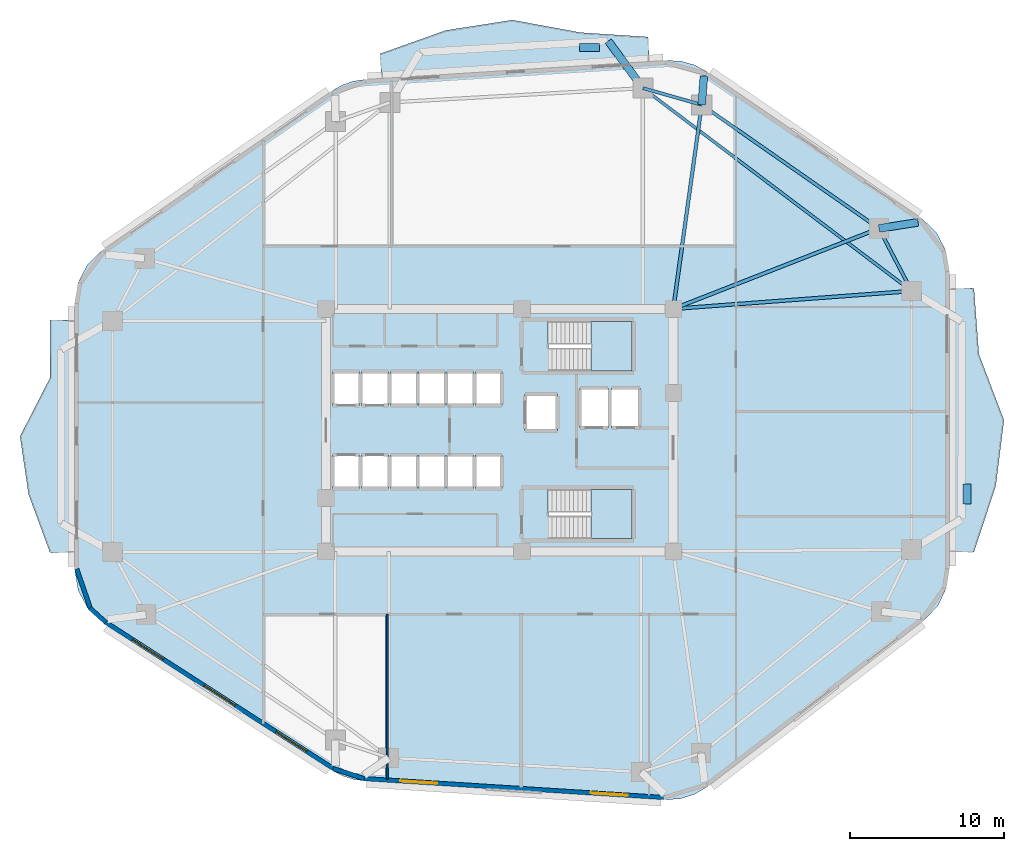
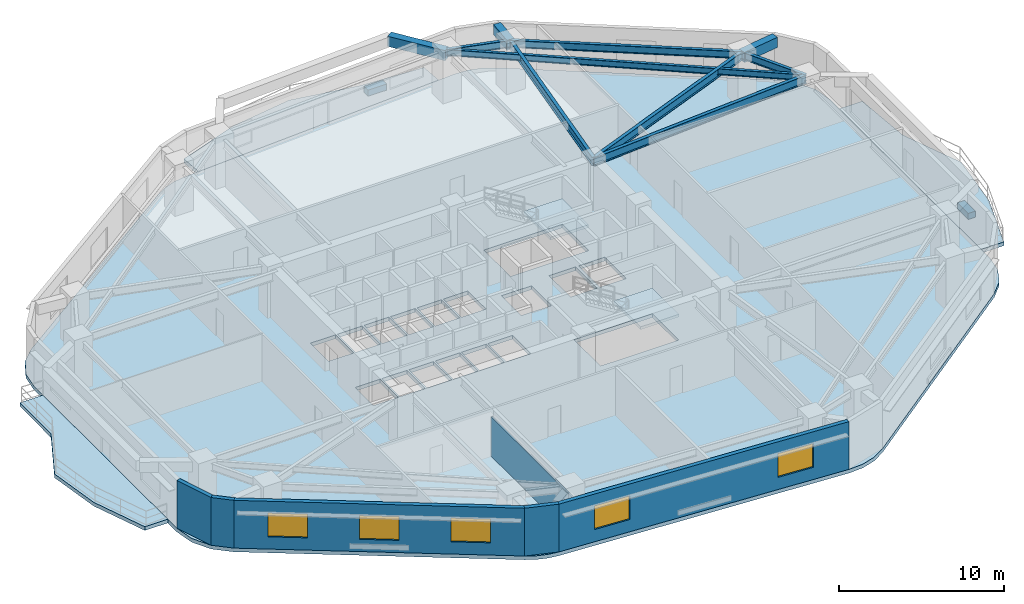
# One storey, part 2 of 9: 10 beams, 6 slabs, 6 walls, 5 windows, 2 plates, 5 openings, 2 elements without a shape of their own.
"""IFC4 building model written with IfcOpenShell, lengths in metres."""

from ifc_helpers import new_model, si_unit, direction, frame, frame_2d, origin, origin_2d, place, context, subcontext, project, spatial, polyline, rectangle, i_section, outline, extrude, material, layer, layer_set, material_profile, profile_set, type_object, element, fill, aggregate, save


model = new_model("IFC4")

# Units and contexts
model_context = context("Model", 3, precision=1e-05, world=origin(), true_north=direction((0.0, 1.0)))
body_context = subcontext(model_context, "Body", "Model", "MODEL_VIEW")
ifc_project = project(units=[si_unit("LENGTHUNIT", "METRE"), si_unit("AREAUNIT", "SQUARE_METRE"), si_unit("VOLUMEUNIT", "CUBIC_METRE"), si_unit("PLANEANGLEUNIT", "RADIAN"), si_unit("MASSUNIT", "GRAM", prefix="KILO")], contexts=[model_context])

# Site, building, storey
site_placement = place(None, origin())
site = spatial("IfcSite", under=ifc_project, at=site_placement, CompositionType="ELEMENT")
building_placement = place(site_placement, origin())
building = spatial("IfcBuilding", under=site, at=building_placement, Name="Zulverin Broadcast Headquarters", CompositionType="ELEMENT")
storey_placement = place(building_placement, frame((0.0, 0.0, 59.199951171875)))
storey = spatial("IfcBuildingStorey", under=building, at=storey_placement, Name="L14", CompositionType="ELEMENT", Elevation=59.199951171875)

# Beams
ifc_material_1 = material(Name="Concrete C40/50", Category="concrete")
ifc_material_profile_1 = material_profile(ifc_material_1, rectangle(XDim=0.5, YDim=0.75, at=origin_2d()), Name="Concrete C40/50", Category="concrete")
ifc_profile_set_1 = profile_set([ifc_material_profile_1], Name="Concrete C40/50")
beam_type_1 = type_object("IfcBeamType", Name="BM-RC-500x750", PredefinedType="BEAM", material=ifc_profile_set_1)
beam_1_placement = place(storey_placement, frame((61.630126953125, 38.298583984375, 3.150146484375), z_axis=(0.988133444256, 0.153597839639, 0.0), x_axis=(-0.153597839639, 0.988133444256, 0.0)))
element("IfcBeam", 1, at=beam_1_placement, inside=storey, type_object=beam_type_1, Name="L15 Plate Overhang Back-Spanned Beam OVR-07", PredefinedType="BEAM", context=body_context, shape_type="SweptSolid", body=[
    extrude(rectangle(XDim=0.5, YDim=0.75, at=origin_2d()), origin(), (0.0, 0.0, 1.0), 2.57177734375),
])
beam_2_placement = place(storey_placement, frame((50.121826171875, 46.325927734375, 3.150146484375), z_axis=(0.073023006252, 0.997330256514, 0.0), x_axis=(-0.997330256514, 0.073023006252, 0.0)))
element("IfcBeam", 2, at=beam_2_placement, inside=storey, type_object=beam_type_1, Name="L15 Plate Overhang Back-Spanned Beam OVR-08", PredefinedType="BEAM", context=body_context, shape_type="SweptSolid", body=[
    extrude(rectangle(XDim=0.5, YDim=0.75, at=origin_2d()), origin(), (0.0, 0.0, 1.0), 1.875732421875),
])
beam_3_placement = place(storey_placement, frame((46.30224609375, 47.4091796875, 3.150146484375), z_axis=(-0.592925064887, 0.805257640404, 0.0), x_axis=(-0.805257640404, -0.592925064887, 0.0)))
element("IfcBeam", 3, at=beam_3_placement, inside=storey, type_object=beam_type_1, Name="L15 Balcony Column-Framed Cantilever BAL_N-1", PredefinedType="BEAM", context=body_context, shape_type="SweptSolid", body=[
    extrude(rectangle(XDim=0.5, YDim=0.75, at=origin_2d()), origin(), (0.0, 0.0, 1.0), 3.800048828125),
])
ifc_material_2 = material(Name="Structural steel S355JR", Category="steel")
ifc_material_profile_2 = material_profile(ifc_material_2, i_section(OverallWidth=0.19287109375, OverallDepth=0.46728515625, WebThickness=0.011474609375, FlangeThickness=0.01953125, at=origin_2d()), Name="Structural steel S355JR", Category="steel")
ifc_profile_set_2 = profile_set([ifc_material_profile_2], Name="Structural steel S355JR")
beam_type_2 = type_object("IfcBeamType", Name="BM-UB-457", PredefinedType="JOIST", material=ifc_profile_set_2)
beam_4_placement = place(storey_placement, frame((63.75, 34.235107421875, 3.29150390625), z_axis=(-0.798058136838, 0.602580459546, 0.0), x_axis=(-0.602580459546, -0.798058136838, 0.0)))
element("IfcBeam", 4, at=beam_4_placement, inside=storey, type_object=beam_type_2, Name="L14 Chordal Floor Joist J-02", PredefinedType="JOIST", context=body_context, shape_type="SweptSolid", body=[
    extrude(i_section(OverallWidth=0.19287109375, OverallDepth=0.46728515625, WebThickness=0.011474609375, FlangeThickness=0.01953125, at=origin_2d()), origin(), (0.0, 0.0, 1.0), 21.86279296875),
])
ifc_material_profile_3 = material_profile(ifc_material_2, i_section(OverallWidth=0.2119140625, OverallDepth=0.54443359375, WebThickness=0.0126953125, FlangeThickness=0.021240234375, at=origin_2d()), Name="Structural steel S355JR", Category="steel")
ifc_profile_set_3 = profile_set([ifc_material_profile_3], Name="Structural steel S355JR")
beam_type_3 = type_object("IfcBeamType", Name="BM-UB-533", PredefinedType="SPANDREL", material=ifc_profile_set_3)
beam_5_placement = place(storey_placement, frame((63.75, 34.235107421875, 3.2529296875), z_axis=(-0.462531417359, 0.886602891917, 0.0), x_axis=(-0.886602891917, -0.462531417359, 0.0)))
element("IfcBeam", 5, at=beam_5_placement, inside=storey, type_object=beam_type_3, Name="L14 Perimeter Spandrel Beam SP-06", PredefinedType="SPANDREL", context=body_context, shape_type="SweptSolid", body=[
    extrude(i_section(OverallWidth=0.2119140625, OverallDepth=0.54443359375, WebThickness=0.0126953125, FlangeThickness=0.021240234375, at=origin_2d()), origin(), (0.0, 0.0, 1.0), 4.583251953125),
])
beam_6_placement = place(storey_placement, frame((61.630126953125, 38.298583984375, 3.2529296875), z_axis=(-0.820183915206, 0.5720999434, 0.0), x_axis=(-0.5720999434, -0.820183915206, 0.0)))
element("IfcBeam", 6, at=beam_6_placement, inside=storey, type_object=beam_type_3, Name="L14 Perimeter Spandrel Beam SP-07", PredefinedType="SPANDREL", context=body_context, shape_type="SweptSolid", body=[
    extrude(i_section(OverallWidth=0.2119140625, OverallDepth=0.54443359375, WebThickness=0.0126953125, FlangeThickness=0.021240234375, at=origin_2d()), origin(), (0.0, 0.0, 1.0), 14.03125),
])
beam_7_placement = place(storey_placement, frame((50.121826171875, 46.325927734375, 3.2529296875), z_axis=(-0.962058150721, 0.272844487999, 0.0), x_axis=(-0.272844487999, -0.962058150721, 0.0)))
element("IfcBeam", 7, at=beam_7_placement, inside=storey, type_object=beam_type_3, Name="L14 Perimeter Spandrel Beam SP-08", PredefinedType="SPANDREL", context=body_context, shape_type="SweptSolid", body=[
    extrude(i_section(OverallWidth=0.2119140625, OverallDepth=0.54443359375, WebThickness=0.0126953125, FlangeThickness=0.021240234375, at=origin_2d()), origin(), (0.0, 0.0, 1.0), 3.97021484375),
])
ifc_material_profile_4 = material_profile(ifc_material_2, i_section(OverallWidth=0.230224609375, OverallDepth=0.6171875, WebThickness=0.01318359375, FlangeThickness=0.022216796875, at=origin_2d()), Name="Structural steel S355JR", Category="steel")
ifc_profile_set_4 = profile_set([ifc_material_profile_4], Name="Structural steel S355JR")
beam_type_4 = type_object("IfcBeamType", Name="BM-UB-610", PredefinedType="BEAM", material=ifc_profile_set_4)
beam_8_placement = place(storey_placement, frame((48.27490234375, 33.074951171875, 3.216552734375), z_axis=(0.997201597387, 0.074759442003, 0.0), x_axis=(-0.074759442003, 0.997201597387, 0.0)))
element("IfcBeam", 8, at=beam_8_placement, inside=storey, type_object=beam_type_4, Name="L14 Radial Primary Floor Beam RB-06", PredefinedType="BEAM", context=body_context, shape_type="SweptSolid", body=[
    extrude(i_section(OverallWidth=0.230224609375, OverallDepth=0.6171875, WebThickness=0.01318359375, FlangeThickness=0.022216796875, at=origin_2d()), origin(), (0.0, 0.0, 1.0), 15.5185546875),
])
beam_9_placement = place(storey_placement, frame((48.27490234375, 33.074951171875, 3.216552734375), z_axis=(0.931297778153, 0.364258765723, 0.0), x_axis=(-0.364258765723, 0.931297778153, 0.0)))
element("IfcBeam", 9, at=beam_9_placement, inside=storey, type_object=beam_type_4, Name="L14 Radial Primary Floor Beam RB-07", PredefinedType="BEAM", context=body_context, shape_type="SweptSolid", body=[
    extrude(i_section(OverallWidth=0.230224609375, OverallDepth=0.6171875, WebThickness=0.01318359375, FlangeThickness=0.022216796875, at=origin_2d()), origin(), (0.0, 0.0, 1.0), 14.34033203125),
])
beam_10_placement = place(storey_placement, frame((48.27490234375, 33.074951171875, 3.216552734375), z_axis=(0.138045758193, 0.990425852169, 0.0), x_axis=(-0.990425852169, 0.138045758193, 0.0)))
element("IfcBeam", 10, at=beam_10_placement, inside=storey, type_object=beam_type_4, Name="L14 Radial Primary Floor Beam RB-08", PredefinedType="BEAM", context=body_context, shape_type="SweptSolid", body=[
    extrude(i_section(OverallWidth=0.230224609375, OverallDepth=0.6171875, WebThickness=0.01318359375, FlangeThickness=0.022216796875, at=origin_2d()), origin(), (0.0, 0.0, 1.0), 13.379150390625),
])

# Plates
ifc_material_3 = material(Name="Precast concrete C45/55", Category="concrete")
ifc_layer_1 = layer(ifc_material_3, 0.449951171875, Name="Precast concrete C45/55", Category="concrete")
ifc_layer_set_1 = layer_set([ifc_layer_1], Name="Precast concrete C45/55")
plate_type = type_object("IfcPlateType", Name="PT-01_PRECAST_GFRC_TREE_PLANTER", PredefinedType="USERDEFINED", material=ifc_layer_set_1)
for number, where, z_axis, x_axis, name in (
    (11, (67.35009765625, 21.05224609375, -0.0048828125), (0.0, 0.0, 1.0), (0.0, 1.0, 0.0), "L14 Precast GFRC Tree Planter BAL_E"),
    (12, (42.825927734375, 50.04638671875, -0.0048828125), (0.0, 0.0, 1.0), (1.0, 0.0, 0.0), "L14 Precast GFRC Tree Planter BAL_N"),
):
    element("IfcPlate", number, at=place(storey_placement, frame(where, z_axis=z_axis, x_axis=x_axis)), inside=storey, type_object=plate_type, Name=name, ObjectType="PLANTER", PredefinedType="USERDEFINED", context=body_context, shape_type="SweptSolid", body=[
        extrude(rectangle(XDim=1.300048828125, YDim=0.5, at=origin_2d()), origin(), (0.0, 0.0, 1.0), 0.449951171875),
    ])

# Slabs
ifc_layer_2 = layer(ifc_material_1, 0.27490234375, Name="Concrete C40/50", Category="concrete")
ifc_layer_set_2 = layer_set([ifc_layer_2], Name="Concrete C40/50")
slab_type_1 = type_object("IfcSlabType", Name="SLB-BAL-275", PredefinedType="FLOOR", material=ifc_layer_set_2)
slab_1_placement = place(storey_placement, frame((0.0, 0.0, -0.27490234375)))
element("IfcSlab", 13, at=slab_1_placement, inside=storey, type_object=slab_type_1, Name="L14 Cantilevered Planted Balcony Slab BAL_E", PredefinedType="FLOOR", context=body_context, shape_type="SweptSolid", body=[
    extrude(outline(polyline([(66.199951171875, 34.41455078125), (66.199951171875, 17.283447265625), (67.800048828125, 17.283447265625), (69.211181640625, 21.566162109375), (69.75, 25.848876953125), (68.121337890625, 30.131591796875), (67.800048828125, 34.41455078125), (66.199951171875, 34.41455078125)])), origin(), (0.0, 0.0, 1.0), 0.27490234375),
])
slab_2_placement = place(storey_placement, frame((0.0, 0.0, -0.27490234375)))
element("IfcSlab", 14, at=slab_2_placement, inside=storey, type_object=slab_type_1, Name="L14 Cantilevered Planted Balcony Slab BAL_N", PredefinedType="FLOOR", context=body_context, shape_type="SweptSolid", body=[
    extrude(outline(polyline([(29.330078125, 48.04296875), (46.72509765625, 49.139892578125), (46.62451171875, 50.73681640625), (42.240478515625, 51.0224609375), (37.8232421875, 51.8349609375), (33.49951171875, 51.160888671875), (29.2294921875, 49.639892578125), (29.330078125, 48.04296875)])), origin(), (0.0, 0.0, 1.0), 0.27490234375),
])
slab_3_placement = place(storey_placement, frame((0.0, 0.0, -0.27490234375)))
element("IfcSlab", 15, at=slab_3_placement, inside=storey, type_object=slab_type_1, Name="L14 Cantilevered Planted Balcony Slab BAL_W", PredefinedType="FLOOR", context=body_context, shape_type="SweptSolid", body=[
    extrude(outline(polyline([(9.39990234375, 17.24365234375), (9.39990234375, 32.344482421875), (7.800048828125, 32.344482421875), (7.78515625, 28.569091796875), (5.85009765625, 24.7939453125), (6.40869140625, 21.018798828125), (7.800048828125, 17.24365234375), (9.39990234375, 17.24365234375)])), origin(), (0.0, 0.0, 1.0), 0.27490234375),
])

# Stair, slab
stair_type = type_object("IfcStairType", Name="ST-CORE-1500", PredefinedType="HALF_TURN_STAIR", material=ifc_material_1)
stair_1_placement = place(storey_placement, origin())
stair_1 = element("IfcStair", 16, at=stair_1_placement, inside=storey, type_object=stair_type, Name="L14 Core Exit Stair ST-1", PredefinedType="HALF_TURN_STAIR")
ifc_layer_3 = layer(ifc_material_1, 0.199951171875, Name="Concrete C40/50", Category="concrete")
ifc_layer_set_3 = layer_set([ifc_layer_3], Name="Concrete C40/50")
slab_type_2 = type_object("IfcSlabType", Name="SLB-ST-LND200", PredefinedType="LANDING", material=ifc_layer_set_3)
slab_4_placement = place(storey_placement, frame((0.0, 0.0, 1.699951171875)))
slab_4 = element("IfcSlab", 17, at=slab_4_placement, type_object=slab_type_2, Name="ST-1 landing 1", PredefinedType="LANDING", context=body_context, shape_type="SweptSolid", body=[
    extrude(outline(polyline([(42.929931640625, 29.050048828125), (45.60009765625, 29.050048828125), (45.60009765625, 32.25), (42.929931640625, 32.25), (42.929931640625, 29.050048828125)])), origin(), (0.0, 0.0, 1.0), 0.2001953125),
])
aggregate(stair_1, [slab_4])

stair_2_placement = place(storey_placement, origin())
stair_2 = element("IfcStair", 18, at=stair_2_placement, inside=storey, type_object=stair_type, Name="L14 Core Exit Stair ST-2", PredefinedType="HALF_TURN_STAIR")
slab_5_placement = place(storey_placement, frame((0.0, 0.0, 1.699951171875)))
slab_5 = element("IfcSlab", 19, at=slab_5_placement, type_object=slab_type_2, Name="ST-2 landing 1", PredefinedType="LANDING", context=body_context, shape_type="SweptSolid", body=[
    extrude(outline(polyline([(42.929931640625, 18.14990234375), (45.60009765625, 18.14990234375), (45.60009765625, 21.35009765625), (42.929931640625, 21.35009765625), (42.929931640625, 18.14990234375)])), origin(), (0.0, 0.0, 1.0), 0.2001953125),
])
aggregate(stair_2, [slab_5])

# Slab
ifc_layer_4 = layer(ifc_material_1, 0.27490234375, Name="Concrete C40/50", Category="concrete")
ifc_layer_set_4 = layer_set([ifc_layer_4], Name="Concrete C40/50")
slab_type_3 = type_object("IfcSlabType", Name="SLB-TWR-275", PredefinedType="FLOOR", material=ifc_layer_set_4)
slab_6_placement = place(storey_placement, frame((0.0, 0.0, -0.27490234375)))
element("IfcSlab", 20, at=slab_6_placement, inside=storey, type_object=slab_type_3, Name="L14 Main Structural Floor Slab", PredefinedType="FLOOR", context=body_context, shape_type="SweptSolid", body=[
    extrude(outline(polyline([(26.146484375, 3.089599609375), (26.774658203125, 2.75732421875), (27.44970703125, 2.535888671875), (28.152587890625, 2.431396484375), (47.690673828125, 1.19921875), (48.69189453125, 1.256103515625), (49.6513671875, 1.548828125), (50.51416015625, 2.060546875), (64.55908203125, 12.85302734375), (65.44140625, 13.77587890625), (66.005859375, 14.92138671875), (66.199951171875, 16.183349609375), (66.199951171875, 35.514404296875), (65.981689453125, 36.85107421875), (65.349365234375, 38.048583984375), (64.368896484375, 38.982666015625), (50.456298828125, 48.485595703125), (49.639404296875, 48.920166015625), (48.747314453125, 49.165283203125), (47.822998046875, 49.208984375), (28.232421875, 47.9736328125), (27.481201171875, 47.857421875), (26.76318359375, 47.607666015625), (26.102294921875, 47.232666015625), (11.20556640625, 36.89501953125), (10.238037109375, 35.9619140625), (9.614990234375, 34.77099609375), (9.39990234375, 33.4443359375), (9.39990234375, 16.1435546875), (9.631103515625, 14.769775390625), (10.298583984375, 13.547119140625), (11.32958984375, 12.610107421875), (26.146484375, 3.089599609375)]), holes=[polyline([(40.155029296875, 30.75), (40.130126953125, 30.75), (40.130126953125, 32.25), (45.60009765625, 32.25), (45.60009765625, 29.050048828125), (40.155029296875, 29.050048828125), (40.155029296875, 30.75)]), polyline([(40.155029296875, 19.85009765625), (40.130126953125, 19.85009765625), (40.130126953125, 21.35009765625), (45.60009765625, 21.35009765625), (45.60009765625, 18.14990234375), (40.155029296875, 18.14990234375), (40.155029296875, 19.85009765625)]), polyline([(26.14990234375, 26.800048828125), (27.89990234375, 26.800048828125), (27.89990234375, 29.0), (26.14990234375, 29.0), (26.14990234375, 26.800048828125)]), polyline([(28.02001953125, 26.800048828125), (29.77001953125, 26.800048828125), (29.77001953125, 29.0), (28.02001953125, 29.0), (28.02001953125, 26.800048828125)]), polyline([(26.14990234375, 21.39990234375), (27.89990234375, 21.39990234375), (27.89990234375, 23.60009765625), (26.14990234375, 23.60009765625), (26.14990234375, 21.39990234375)]), polyline([(28.02001953125, 21.39990234375), (29.77001953125, 21.39990234375), (29.77001953125, 23.60009765625), (28.02001953125, 23.60009765625), (28.02001953125, 21.39990234375)]), polyline([(29.89990234375, 21.39990234375), (31.6201171875, 21.39990234375), (31.6201171875, 23.60009765625), (29.89990234375, 23.60009765625), (29.89990234375, 21.39990234375)]), polyline([(31.739990234375, 21.39990234375), (33.4599609375, 21.39990234375), (33.4599609375, 23.60009765625), (31.739990234375, 23.60009765625), (31.739990234375, 21.39990234375)]), polyline([(33.580078125, 21.39990234375), (35.300048828125, 21.39990234375), (35.300048828125, 23.60009765625), (33.580078125, 23.60009765625), (33.580078125, 21.39990234375)]), polyline([(35.419921875, 21.39990234375), (37.139892578125, 21.39990234375), (37.139892578125, 23.60009765625), (35.419921875, 23.60009765625), (35.419921875, 21.39990234375)]), polyline([(29.89990234375, 26.800048828125), (31.6201171875, 26.800048828125), (31.6201171875, 29.0), (29.89990234375, 29.0), (29.89990234375, 26.800048828125)]), polyline([(31.739990234375, 26.800048828125), (33.4599609375, 26.800048828125), (33.4599609375, 29.0), (31.739990234375, 29.0), (31.739990234375, 26.800048828125)]), polyline([(33.580078125, 26.800048828125), (35.300048828125, 26.800048828125), (35.300048828125, 29.0), (33.580078125, 29.0), (33.580078125, 26.800048828125)]), polyline([(35.419921875, 26.800048828125), (37.139892578125, 26.800048828125), (37.139892578125, 29.0), (35.419921875, 29.0), (35.419921875, 26.800048828125)]), polyline([(42.199951171875, 25.35009765625), (44.050048828125, 25.35009765625), (44.050048828125, 27.949951171875), (42.199951171875, 27.949951171875), (42.199951171875, 25.35009765625)]), polyline([(44.25, 25.35009765625), (46.10009765625, 25.35009765625), (46.10009765625, 27.949951171875), (44.25, 27.949951171875), (44.25, 25.35009765625)]), polyline([(38.64990234375, 25.14990234375), (40.75, 25.14990234375), (40.75, 27.550048828125), (38.64990234375, 27.550048828125), (38.64990234375, 25.14990234375)])]), origin(), (0.0, 0.0, 1.0), 0.27490234375),
])

# Wall, openings, windows
ifc_material_4 = material(Name="Insulated pale-metal clad concrete spandrel C40/50", Category="concrete")
ifc_layer_5 = layer(ifc_material_4, 0.280029296875, Name="Insulated pale-metal clad concrete spandrel C40/50", Category="concrete")
ifc_layer_set_5 = layer_set([ifc_layer_5], Name="Insulated pale-metal clad concrete spandrel C40/50")
wall_type_1 = type_object("IfcWallType", Name="WL-EXT-280", PredefinedType="STANDARD", material=ifc_layer_set_5)
wall_1_placement = place(storey_placement, frame((28.161376953125, 2.571044921875, 0.0), z_axis=(0.0, 0.0, 1.0), x_axis=(0.998017288298, -0.06294038654, 0.0)))
wall_1 = element("IfcWall", 21, at=wall_1_placement, inside=storey, type_object=wall_type_1, Name="L14 Pale-Metal Clad Spandrel Wall 1", PredefinedType="STANDARD", context=body_context, shape_type="SweptSolid", body=[
    extrude(rectangle(XDim=19.576904296875, YDim=0.280029296875, at=frame_2d((9.78857421875, 0.0))), origin(), (0.0, 0.0, 1.0), 3.525146484375),
])
opening_1_placement = place(wall_1_placement, frame((2.396240234375, 0.0, 0.89990234375)))
opening_1 = element("IfcOpeningElement", 22, at=opening_1_placement, cuts=wall_1, Name="Opening W-L14-E11", PredefinedType="OPENING", context=body_context, shape_type="SweptSolid", body=[
    extrude(rectangle(XDim=2.39990234375, YDim=1.75, at=frame_2d((1.199951171875, 0.875))), frame((0.0, 0.14990234375, 0.0), z_axis=(0.0, -1.0, 0.0), x_axis=(1.0, 0.0, 0.0)), (0.0, 0.0, 1.0), 0.300048828125),
])
opening_2_placement = place(wall_1_placement, frame((14.78076171875, 0.0, 0.89990234375)))
opening_2 = element("IfcOpeningElement", 23, at=opening_2_placement, cuts=wall_1, Name="Opening W-L14-E12", PredefinedType="OPENING", context=body_context, shape_type="SweptSolid", body=[
    extrude(rectangle(XDim=2.39990234375, YDim=1.75, at=frame_2d((1.199951171875, 0.875))), frame((0.0, 0.14990234375, 0.0), z_axis=(0.0, -1.0, 0.0), x_axis=(1.0, 0.0, 0.0)), (0.0, 0.0, 1.0), 0.300048828125),
])
ifc_material_5 = material(Name="Pale anodized aluminium frame with solar-control low-E double glazing", Category="aluminium")
window_type = type_object("IfcWindowType", Name="WIN-RIB-2400", PartitioningType="SINGLE_PANEL", PredefinedType="WINDOW", material=ifc_material_5)
window_1_placement = place(opening_1_placement, origin())
window_1 = element("IfcWindow", 24, at=window_1_placement, inside=storey, type_object=window_type, Name="L14 Ribbon Glazing Window 1 1", OverallHeight=1.75, OverallWidth=2.39990234375, PartitioningType="SINGLE_PANEL", PredefinedType="WINDOW", context=body_context, shape_type="SweptSolid", body=[
    extrude(rectangle(XDim=2.39990234375, YDim=1.75, at=frame_2d((1.199951171875, 0.875))), frame((0.0, 0.030029296875, 0.0), z_axis=(0.0, -1.0, 0.0), x_axis=(1.0, 0.0, 0.0)), (0.0, 0.0, 1.0), 0.06005859375),
])
fill(opening_1, window_1)
window_2_placement = place(opening_2_placement, origin())
window_2 = element("IfcWindow", 25, at=window_2_placement, inside=storey, type_object=window_type, Name="L14 Ribbon Glazing Window 1 2", OverallHeight=1.75, OverallWidth=2.39990234375, PartitioningType="SINGLE_PANEL", PredefinedType="WINDOW", context=body_context, shape_type="SweptSolid", body=[
    extrude(rectangle(XDim=2.39990234375, YDim=1.75, at=frame_2d((1.199951171875, 0.875))), frame((0.0, 0.030029296875, 0.0), z_axis=(0.0, -1.0, 0.0), x_axis=(1.0, 0.0, 0.0)), (0.0, 0.0, 1.0), 0.06005859375),
])
fill(opening_2, window_2)

wall_2_placement = place(storey_placement, frame((11.4052734375, 12.727783203125, 0.0), z_axis=(0.0, 0.0, 1.0), x_axis=(0.841304564637, -0.540561402175, 0.0)))
wall_2 = element("IfcWall", 26, at=wall_2_placement, inside=storey, type_object=wall_type_1, Name="L14 Pale-Metal Clad Spandrel Wall 8", PredefinedType="STANDARD", context=body_context, shape_type="SweptSolid", body=[
    extrude(rectangle(XDim=17.61181640625, YDim=0.280029296875, at=frame_2d((8.805908203125, 0.0))), origin(), (0.0, 0.0, 1.0), 3.525146484375),
])
opening_3_placement = place(wall_2_placement, frame((2.068603515625, 0.0, 0.89990234375)))
opening_3 = element("IfcOpeningElement", 27, at=opening_3_placement, cuts=wall_2, Name="Opening W-L14-E81", PredefinedType="OPENING", context=body_context, shape_type="SweptSolid", body=[
    extrude(rectangle(XDim=2.39990234375, YDim=1.75, at=frame_2d((1.199951171875, 0.875))), frame((0.0, 0.14990234375, 0.0), z_axis=(0.0, -1.0, 0.0), x_axis=(1.0, 0.0, 0.0)), (0.0, 0.0, 1.0), 0.300048828125),
])
opening_4_placement = place(wall_2_placement, frame((7.60595703125, 0.0, 0.89990234375)))
opening_4 = element("IfcOpeningElement", 28, at=opening_4_placement, cuts=wall_2, Name="Opening W-L14-E82", PredefinedType="OPENING", context=body_context, shape_type="SweptSolid", body=[
    extrude(rectangle(XDim=2.39990234375, YDim=1.75, at=frame_2d((1.199951171875, 0.875))), frame((0.0, 0.14990234375, 0.0), z_axis=(0.0, -1.0, 0.0), x_axis=(1.0, 0.0, 0.0)), (0.0, 0.0, 1.0), 0.300048828125),
])
opening_5_placement = place(wall_2_placement, frame((13.143310546875, 0.0, 0.89990234375)))
opening_5 = element("IfcOpeningElement", 29, at=opening_5_placement, cuts=wall_2, Name="Opening W-L14-E83", PredefinedType="OPENING", context=body_context, shape_type="SweptSolid", body=[
    extrude(rectangle(XDim=2.39990234375, YDim=1.75, at=frame_2d((1.199951171875, 0.875))), frame((0.0, 0.14990234375, 0.0), z_axis=(0.0, -1.0, 0.0), x_axis=(1.0, 0.0, 0.0)), (0.0, 0.0, 1.0), 0.300048828125),
])
window_3_placement = place(opening_3_placement, origin())
window_3 = element("IfcWindow", 30, at=window_3_placement, inside=storey, type_object=window_type, Name="L14 Ribbon Glazing Window 8 1", OverallHeight=1.75, OverallWidth=2.39990234375, PartitioningType="SINGLE_PANEL", PredefinedType="WINDOW", context=body_context, shape_type="SweptSolid", body=[
    extrude(rectangle(XDim=2.39990234375, YDim=1.75, at=frame_2d((1.199951171875, 0.875))), frame((0.0, 0.030029296875, 0.0), z_axis=(0.0, -1.0, 0.0), x_axis=(1.0, 0.0, 0.0)), (0.0, 0.0, 1.0), 0.06005859375),
])
fill(opening_3, window_3)
window_4_placement = place(opening_4_placement, origin())
window_4 = element("IfcWindow", 31, at=window_4_placement, inside=storey, type_object=window_type, Name="L14 Ribbon Glazing Window 8 2", OverallHeight=1.75, OverallWidth=2.39990234375, PartitioningType="SINGLE_PANEL", PredefinedType="WINDOW", context=body_context, shape_type="SweptSolid", body=[
    extrude(rectangle(XDim=2.39990234375, YDim=1.75, at=frame_2d((1.199951171875, 0.875))), frame((0.0, 0.030029296875, 0.0), z_axis=(0.0, -1.0, 0.0), x_axis=(1.0, 0.0, 0.0)), (0.0, 0.0, 1.0), 0.06005859375),
])
fill(opening_4, window_4)
window_5_placement = place(opening_5_placement, origin())
window_5 = element("IfcWindow", 32, at=window_5_placement, inside=storey, type_object=window_type, Name="L14 Ribbon Glazing Window 8 3", OverallHeight=1.75, OverallWidth=2.39990234375, PartitioningType="SINGLE_PANEL", PredefinedType="WINDOW", context=body_context, shape_type="SweptSolid", body=[
    extrude(rectangle(XDim=2.39990234375, YDim=1.75, at=frame_2d((1.199951171875, 0.875))), frame((0.0, 0.030029296875, 0.0), z_axis=(0.0, -1.0, 0.0), x_axis=(1.0, 0.0, 0.0)), (0.0, 0.0, 1.0), 0.06005859375),
])
fill(opening_5, window_5)

# Walls
wall_3_placement = place(storey_placement, frame((9.5322265625, 16.189453125, 0.0), z_axis=(0.0, 0.0, 1.0), x_axis=(0.32708309668, -0.944995580871, 0.0)))
element("IfcWall", 33, at=wall_3_placement, inside=storey, type_object=wall_type_1, Name="L14 Wind-Shaped Corner Spandrel Wall 7-1", PredefinedType="STANDARD", context=body_context, shape_type="SweptSolid", body=[
    extrude(rectangle(XDim=2.74755859375, YDim=0.280029296875, at=frame_2d((1.373779296875, 0.0))), origin(), (0.0, 0.0, 1.0), 3.525146484375),
])
wall_4_placement = place(storey_placement, frame((10.392822265625, 13.650634765625, 0.0), z_axis=(0.0, 0.0, 1.0), x_axis=(0.74003521851, -0.672568119498, 0.0)))
element("IfcWall", 34, at=wall_4_placement, inside=storey, type_object=wall_type_1, Name="L14 Wind-Shaped Corner Spandrel Wall 7-2", PredefinedType="STANDARD", context=body_context, shape_type="SweptSolid", body=[
    extrude(rectangle(XDim=1.39306640625, YDim=0.280029296875, at=frame_2d((0.696533203125, 0.0))), origin(), (0.0, 0.0, 1.0), 3.525146484375),
])
wall_5_placement = place(storey_placement, frame((26.18994140625, 3.22265625, 0.0), z_axis=(0.0, 0.0, 1.0), x_axis=(0.95016442175, -0.311749212734, 0.0)))
element("IfcWall", 35, at=wall_5_placement, inside=storey, type_object=wall_type_1, Name="L14 Wind-Shaped Corner Spandrel Wall 8-1", PredefinedType="STANDARD", context=body_context, shape_type="SweptSolid", body=[
    extrude(rectangle(XDim=2.111328125, YDim=0.280029296875, at=frame_2d((1.0556640625, 0.0))), origin(), (0.0, 0.0, 1.0), 3.525146484375),
])
ifc_material_6 = material(Name="Fire-rated acoustic laminated glass screen", Category="glass")
ifc_layer_6 = layer(ifc_material_6, 0.10009765625, Name="Fire-rated acoustic laminated glass screen", Category="glass")
ifc_layer_set_6 = layer_set([ifc_layer_6], Name="Fire-rated acoustic laminated glass screen")
wall_type_2 = type_object("IfcWallType", Name="WL-GLAZ-100", PredefinedType="PARTITIONING", material=ifc_layer_set_6)
wall_6_placement = place(storey_placement, frame((29.699951171875, 2.538818359375, 0.0), z_axis=(0.0, 0.0, 1.0), x_axis=(0.0, 1.0, 0.0)))
element("IfcWall", 36, at=wall_6_placement, inside=storey, type_object=wall_type_2, Name="L14 Room Partition Wall RP-05", PredefinedType="PARTITIONING", context=body_context, shape_type="SweptSolid", body=[
    extrude(rectangle(XDim=10.711181640625, YDim=0.10009765625, at=frame_2d((5.35546875, 0.0))), origin(), (0.0, 0.0, 1.0), 2.907958984375),
])

save(model, "model.ifc")
